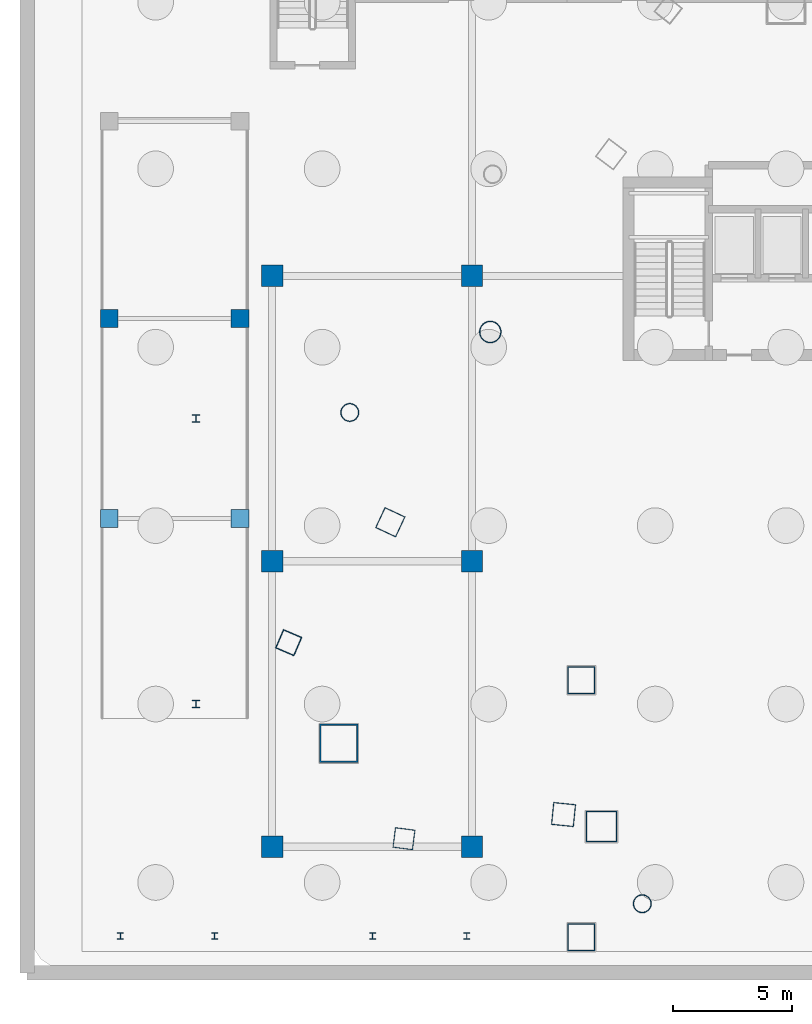
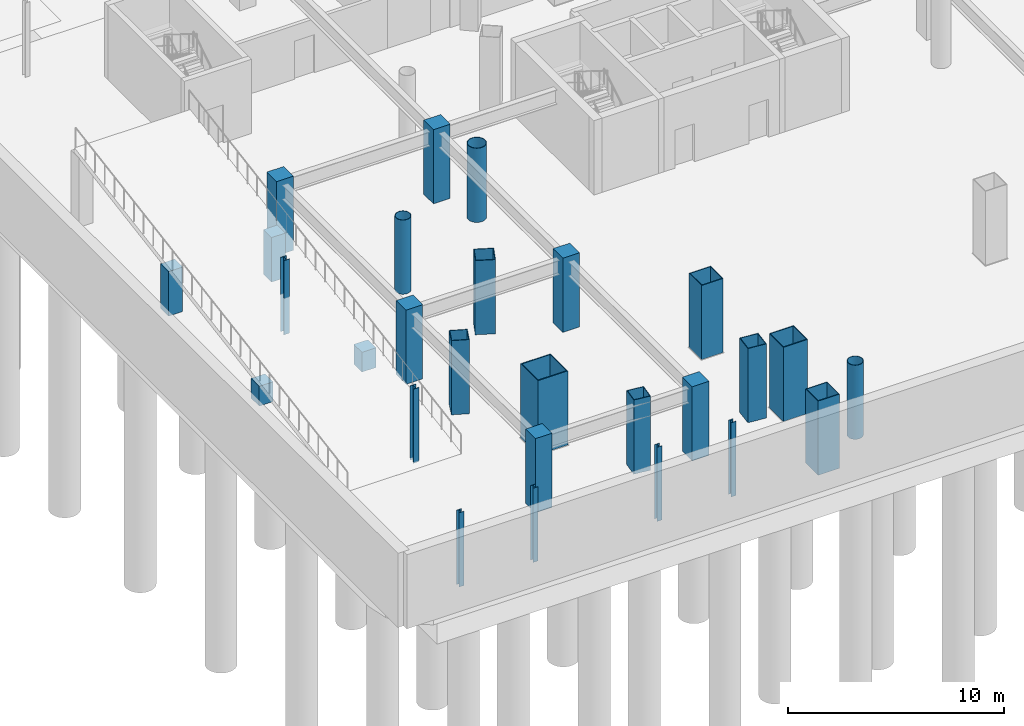
# One storey, part 2 of 12: 27 columns.
"""IFC4 building model written with IfcOpenShell, lengths in metres."""

from ifc_helpers import new_model, si_unit, direction, frame, origin, origin_2d, place, context, subcontext, project, spatial, rectangle, hollow_rectangle, hollow_circle, i_section, extrude, material, material_profile, profile_set, type_object, element, save


model = new_model("IFC4")

# Units and contexts
model_context = context("Model", 3, precision=1e-05, world=origin(), true_north=direction((0.0, 1.0)))
body_context = subcontext(model_context, "Body", "Model", "MODEL_VIEW")
ifc_project = project(units=[si_unit("LENGTHUNIT", "METRE"), si_unit("AREAUNIT", "SQUARE_METRE"), si_unit("VOLUMEUNIT", "CUBIC_METRE"), si_unit("PLANEANGLEUNIT", "RADIAN"), si_unit("MASSUNIT", "GRAM", prefix="KILO")], contexts=[model_context])

# Site, building, storey
site_placement = place(None, origin())
site = spatial("IfcSite", under=ifc_project, at=site_placement, CompositionType="ELEMENT")
building_placement = place(site_placement, origin())
building = spatial("IfcBuilding", under=site, at=building_placement, Name="Orvanel Arch Residences", CompositionType="ELEMENT")
storey_placement = place(building_placement, frame((0.0, 0.0, -8.39990234375)))
storey = spatial("IfcBuildingStorey", under=building, at=storey_placement, Name="B02", CompositionType="ELEMENT", Elevation=-8.39990234375)

# Columns
ifc_material_1 = material(Name="Structural steel AS/NZS 1163 C450L0 (Grade 450)", Category="steel")
ifc_material_profile_1 = material_profile(ifc_material_1, hollow_circle(Radius=0.381103515625, WallThickness=0.02197265625, at=origin_2d()), Name="CHS762x22")
ifc_profile_set_1 = profile_set([ifc_material_profile_1], Name="Structural steel AS/NZS 1163 C450L0 (Grade 450)")
column_type_1 = type_object("IfcColumnType", Name="CC-762", PredefinedType="COLUMN", material=ifc_profile_set_1)
for number, where, z_axis, x_axis, name in (
    (1, (14.662109375, 24.256103515625, 0.0), (0.0, 0.0, 1.0), (1.0, 0.0, 0.0), "B02 Low-Rise Buttress Tube Column 02"),
    (2, (26.9580078125, 3.60498046875, 0.0), (0.0, 0.0, 1.0), (1.0, 0.0, 0.0), "B02 Low-Rise Buttress Tube Column 03"),
):
    element("IfcColumn", number, at=place(storey_placement, frame(where, z_axis=z_axis, x_axis=x_axis)), inside=storey, type_object=column_type_1, Name=name, PredefinedType="COLUMN", context=body_context, shape_type="SweptSolid", body=[
        extrude(hollow_circle(Radius=0.381103515625, WallThickness=0.02197265625, at=origin_2d()), origin(), (0.0, 0.0, 1.0), 4.199951171875),
    ])
ifc_material_profile_2 = material_profile(ifc_material_1, hollow_circle(Radius=0.45703125, WallThickness=0.02490234375, at=origin_2d()), Name="CHS914x25")
ifc_profile_set_2 = profile_set([ifc_material_profile_2], Name="Structural steel AS/NZS 1163 C450L0 (Grade 450)")
column_type_2 = type_object("IfcColumnType", Name="CC-914", PredefinedType="COLUMN", material=ifc_profile_set_2)
column_1_placement = place(storey_placement, frame((20.569091796875, 27.64111328125, 0.0), z_axis=(0.0, 0.0, 1.0), x_axis=(1.0, 0.0, 0.0)))
element("IfcColumn", 3, at=column_1_placement, inside=storey, type_object=column_type_2, Name="B02 High-Rise Tube Column 02", PredefinedType="COLUMN", context=body_context, shape_type="SweptSolid", body=[
    extrude(hollow_circle(Radius=0.45703125, WallThickness=0.02490234375, at=origin_2d()), origin(), (0.0, 0.0, 1.0), 4.199951171875),
])
ifc_material_2 = material(Name="Structural steel AS/NZS 3678 Grade 450", Category="steel")
ifc_material_profile_3 = material_profile(ifc_material_2, hollow_rectangle(XDim=1.14990234375, YDim=1.14990234375, WallThickness=0.035888671875, at=origin_2d()), Name="BOX1150x1150x36")
ifc_profile_set_3 = profile_set([ifc_material_profile_3], Name="Structural steel AS/NZS 3678 Grade 450")
column_type_3 = type_object("IfcColumnType", Name="MC-1150", PredefinedType="COLUMN", material=ifc_profile_set_3)
for number, where, z_axis, x_axis, name in (
    (4, (24.39990234375, 2.199951171875, 0.0), (0.0, 0.0, 1.0), (1.0, 0.0, 0.0), "B02 Arch Portal Pier SOUTH W"),
    (5, (24.39990234375, 13.0, 0.0), (0.0, 0.0, 1.0), (1.0, 0.0, 0.0), "B02 Arch Portal Pier MID W"),
):
    element("IfcColumn", number, at=place(storey_placement, frame(where, z_axis=z_axis, x_axis=x_axis)), inside=storey, type_object=column_type_3, Name=name, PredefinedType="COLUMN", context=body_context, shape_type="SweptSolid", body=[
        extrude(hollow_rectangle(XDim=1.14990234375, YDim=1.14990234375, WallThickness=0.035888671875, at=origin_2d()), origin(), (0.0, 0.0, 1.0), 4.199951171875),
    ])
ifc_material_profile_4 = material_profile(ifc_material_2, hollow_rectangle(XDim=1.300048828125, YDim=1.300048828125, WallThickness=0.0400390625, at=origin_2d()), Name="BOX1300x1300x40")
ifc_profile_set_4 = profile_set([ifc_material_profile_4], Name="Structural steel AS/NZS 3678 Grade 450")
column_type_4 = type_object("IfcColumnType", Name="MC-1300", PredefinedType="COLUMN", material=ifc_profile_set_4)
column_2_placement = place(storey_placement, frame((25.25, 6.843994140625, 0.0), z_axis=(0.0, 0.0, 1.0), x_axis=(1.0, 0.0, 0.0)))
element("IfcColumn", 6, at=column_2_placement, inside=storey, type_object=column_type_4, Name="B02 Arch Transfer Pier W", PredefinedType="COLUMN", context=body_context, shape_type="SweptSolid", body=[
    extrude(hollow_rectangle(XDim=1.300048828125, YDim=1.300048828125, WallThickness=0.0400390625, at=origin_2d()), origin(), (0.0, 0.0, 1.0), 4.199951171875),
])
ifc_material_profile_5 = material_profile(ifc_material_2, hollow_rectangle(XDim=1.60009765625, YDim=1.60009765625, WallThickness=0.050048828125, at=origin_2d()), Name="BOX1600x1600x50")
ifc_profile_set_5 = profile_set([ifc_material_profile_5], Name="Structural steel AS/NZS 3678 Grade 450")
column_type_5 = type_object("IfcColumnType", Name="MC-1600", PredefinedType="COLUMN", material=ifc_profile_set_5)
column_3_placement = place(storey_placement, frame((14.198974609375, 10.35107421875, 0.0), z_axis=(0.0, 0.0, 1.0), x_axis=(1.0, 0.0, 0.0)))
element("IfcColumn", 7, at=column_3_placement, inside=storey, type_object=column_type_5, Name="B02 Corner Composite Mega-Column 2", PredefinedType="COLUMN", context=body_context, shape_type="SweptSolid", body=[
    extrude(hollow_rectangle(XDim=1.60009765625, YDim=1.60009765625, WallThickness=0.050048828125, at=origin_2d()), origin(), (0.0, 0.0, 1.0), 4.199951171875),
])
ifc_material_3 = material(Name="Concrete S65 (65 MPa)", Category="concrete")
ifc_material_profile_6 = material_profile(ifc_material_3, rectangle(XDim=0.75, YDim=0.75, at=origin_2d()), Name="RC750x750")
ifc_profile_set_6 = profile_set([ifc_material_profile_6], Name="Concrete S65 (65 MPa)")
column_type_6 = type_object("IfcColumnType", Name="PC-750", PredefinedType="COLUMN", material=ifc_profile_set_6)
for number, where, z_axis, x_axis, name in (
    (8, (4.550048828125, 19.800048828125, 0.0), (0.0, 0.0, 1.0), (1.0, 0.0, 0.0), "B02 Ramp Support Pier"),
    (9, (10.050048828125, 19.800048828125, 0.0), (0.0, 0.0, 1.0), (1.0, 0.0, 0.0), "B02 Ramp Support Pier"),
):
    element("IfcColumn", number, at=place(storey_placement, frame(where, z_axis=z_axis, x_axis=x_axis)), inside=storey, type_object=column_type_6, Name=name, PredefinedType="COLUMN", context=body_context, shape_type="SweptSolid", body=[
        extrude(rectangle(XDim=0.75, YDim=0.75, at=origin_2d()), origin(), (0.0, 0.0, 1.0), 1.119873046875),
    ])
for number, where, z_axis, x_axis, name in (
    (10, (4.550048828125, 28.199951171875, 0.0), (0.0, 0.0, 1.0), (1.0, 0.0, 0.0), "B02 Ramp Support Pier"),
    (11, (10.050048828125, 28.199951171875, 0.0), (0.0, 0.0, 1.0), (1.0, 0.0, 0.0), "B02 Ramp Support Pier"),
):
    element("IfcColumn", number, at=place(storey_placement, frame(where, z_axis=z_axis, x_axis=x_axis)), inside=storey, type_object=column_type_6, Name=name, PredefinedType="COLUMN", context=body_context, shape_type="SweptSolid", body=[
        extrude(rectangle(XDim=0.75, YDim=0.75, at=origin_2d()), origin(), (0.0, 0.0, 1.0), 2.52001953125),
    ])
ifc_material_profile_7 = material_profile(ifc_material_3, rectangle(XDim=0.89990234375, YDim=0.89990234375, at=origin_2d()), Name="RC900x900")
ifc_profile_set_7 = profile_set([ifc_material_profile_7], Name="Concrete S65 (65 MPa)")
column_type_7 = type_object("IfcColumnType", Name="PC-900", PredefinedType="COLUMN", material=ifc_profile_set_7)
for number, where, z_axis, x_axis, name in (
    (12, (11.39990234375, 6.0, 0.0), (0.0, 0.0, 1.0), (1.0, 0.0, 0.0), "B02 Podium Grid Column 01"),
    (13, (11.39990234375, 18.0, 0.0), (0.0, 0.0, 1.0), (1.0, 0.0, 0.0), "B02 Podium Grid Column 02"),
    (14, (11.39990234375, 30.0, 0.0), (0.0, 0.0, 1.0), (1.0, 0.0, 0.0), "B02 Podium Grid Column 03"),
    (15, (19.800048828125, 6.0, 0.0), (0.0, 0.0, 1.0), (1.0, 0.0, 0.0), "B02 Podium Grid Column 04"),
    (16, (19.800048828125, 18.0, 0.0), (0.0, 0.0, 1.0), (1.0, 0.0, 0.0), "B02 Podium Grid Column 05"),
    (17, (19.800048828125, 30.0, 0.0), (0.0, 0.0, 1.0), (1.0, 0.0, 0.0), "B02 Podium Grid Column 06"),
):
    element("IfcColumn", number, at=place(storey_placement, frame(where, z_axis=z_axis, x_axis=x_axis)), inside=storey, type_object=column_type_7, Name=name, PredefinedType="COLUMN", context=body_context, shape_type="SweptSolid", body=[
        extrude(rectangle(XDim=0.89990234375, YDim=0.89990234375, at=origin_2d()), origin(), (0.0, 0.0, 1.0), 4.199951171875),
    ])
ifc_material_4 = material(Name="Structural steel AS/NZS 3679.1 Grade 300 (300 MPa)", Category="steel")
ifc_material_profile_8 = material_profile(ifc_material_4, i_section(OverallWidth=0.256103515625, OverallDepth=0.260009765625, WebThickness=0.010498046875, FlangeThickness=0.017333984375, at=origin_2d()), Name="250UC89.5")
ifc_profile_set_8 = profile_set([ifc_material_profile_8], Name="Structural steel AS/NZS 3679.1 Grade 300 (300 MPa)")
column_type_8 = type_object("IfcColumnType", Name="SC-250UC", PredefinedType="COLUMN", material=ifc_profile_set_8)
for number, where, z_axis, x_axis, name in (
    (18, (5.02001953125, 2.25, 0.0), (0.0, 0.0, 1.0), (1.0, 0.0, 0.0), "B02 Canopy Rear Support Column 01.1"),
    (19, (8.97998046875, 2.25, 0.0), (0.0, 0.0, 1.0), (1.0, 0.0, 0.0), "B02 Canopy Rear Support Column 01.2"),
    (20, (15.6201171875, 2.25, 0.0), (0.0, 0.0, 1.0), (1.0, 0.0, 0.0), "B02 Canopy Rear Support Column 02.1"),
    (21, (19.580078125, 2.25, 0.0), (0.0, 0.0, 1.0), (1.0, 0.0, 0.0), "B02 Canopy Rear Support Column 02.2"),
):
    element("IfcColumn", number, at=place(storey_placement, frame(where, z_axis=z_axis, x_axis=x_axis)), inside=storey, type_object=column_type_8, Name=name, PredefinedType="COLUMN", context=body_context, shape_type="SweptSolid", body=[
        extrude(i_section(OverallWidth=0.256103515625, OverallDepth=0.260009765625, WebThickness=0.010498046875, FlangeThickness=0.017333984375, at=origin_2d()), origin(), (0.0, 0.0, 1.0), 4.199951171875),
    ])
ifc_material_profile_9 = material_profile(ifc_material_4, i_section(OverallWidth=0.31103515625, OverallDepth=0.326904296875, WebThickness=0.015625, FlangeThickness=0.02490234375, at=origin_2d()), Name="310UC158")
ifc_profile_set_9 = profile_set([ifc_material_profile_9], Name="Structural steel AS/NZS 3679.1 Grade 300 (300 MPa)")
column_type_9 = type_object("IfcColumnType", Name="SC-310UC158", PredefinedType="COLUMN", material=ifc_profile_set_9)
for number, where, z_axis, x_axis, name in (
    (22, (8.199951171875, 12.0, 0.0), (0.0, 0.0, 1.0), (1.0, 0.0, 0.0), "B02 Auxiliary Podium Column 01"),
    (23, (8.199951171875, 24.0, 0.0), (0.0, 0.0, 1.0), (1.0, 0.0, 0.0), "B02 Auxiliary Podium Column 02"),
):
    element("IfcColumn", number, at=place(storey_placement, frame(where, z_axis=z_axis, x_axis=x_axis)), inside=storey, type_object=column_type_9, Name=name, PredefinedType="COLUMN", context=body_context, shape_type="SweptSolid", body=[
        extrude(i_section(OverallWidth=0.31103515625, OverallDepth=0.326904296875, WebThickness=0.015625, FlangeThickness=0.02490234375, at=origin_2d()), origin(), (0.0, 0.0, 1.0), 4.199951171875),
    ])
ifc_material_5 = material(Name="Structural steel AS/NZS 3678 Grade 350", Category="steel")
ifc_material_profile_10 = material_profile(ifc_material_5, hollow_rectangle(XDim=0.85009765625, YDim=0.85009765625, WallThickness=0.028076171875, at=origin_2d()), Name="BOX850x850x28")
ifc_profile_set_10 = profile_set([ifc_material_profile_10], Name="Structural steel AS/NZS 3678 Grade 350")
column_type_10 = type_object("IfcColumnType", Name="TC-850", PredefinedType="COLUMN", material=ifc_profile_set_10)
for number, where, z_axis, x_axis, name in (
    (24, (12.094970703125, 14.580078125, 0.0), (0.0, 0.0, 1.0), (0.397147890635, 0.917754625684, 0.0), "B02 Mid-Rise Buttress Tube Column 02"),
    (25, (16.94091796875, 6.339111328125, 0.0), (0.0, 0.0, 1.0), (-0.99189444259, 0.127064608601, 0.0), "B02 Mid-Rise Buttress Tube Column 03"),
):
    element("IfcColumn", number, at=place(storey_placement, frame(where, z_axis=z_axis, x_axis=x_axis)), inside=storey, type_object=column_type_10, Name=name, PredefinedType="COLUMN", context=body_context, shape_type="SweptSolid", body=[
        extrude(hollow_rectangle(XDim=0.85009765625, YDim=0.85009765625, WallThickness=0.028076171875, at=origin_2d()), origin(), (0.0, 0.0, 1.0), 4.199951171875),
    ])
ifc_material_profile_11 = material_profile(ifc_material_5, hollow_rectangle(XDim=0.949951171875, YDim=0.949951171875, WallThickness=0.031982421875, at=origin_2d()), Name="BOX950x950x32")
ifc_profile_set_11 = profile_set([ifc_material_profile_11], Name="Structural steel AS/NZS 3678 Grade 350")
column_type_11 = type_object("IfcColumnType", Name="TC-950", PredefinedType="COLUMN", material=ifc_profile_set_11)
for number, where, z_axis, x_axis, name in (
    (26, (16.366943359375, 19.64208984375, 0.0), (0.0, 0.0, 1.0), (0.422618261741, 0.906307787037, 0.0), "B02 High-Rise Tube Column 03"),
    (27, (23.64892578125, 7.35498046875, 0.0), (0.0, 0.0, 1.0), (-0.994880708829, 0.101056297183, 0.0), "B02 High-Rise Tube Column 04"),
):
    element("IfcColumn", number, at=place(storey_placement, frame(where, z_axis=z_axis, x_axis=x_axis)), inside=storey, type_object=column_type_11, Name=name, PredefinedType="COLUMN", context=body_context, shape_type="SweptSolid", body=[
        extrude(hollow_rectangle(XDim=0.949951171875, YDim=0.949951171875, WallThickness=0.031982421875, at=origin_2d()), origin(), (0.0, 0.0, 1.0), 4.199951171875),
    ])

save(model, "model.ifc")
